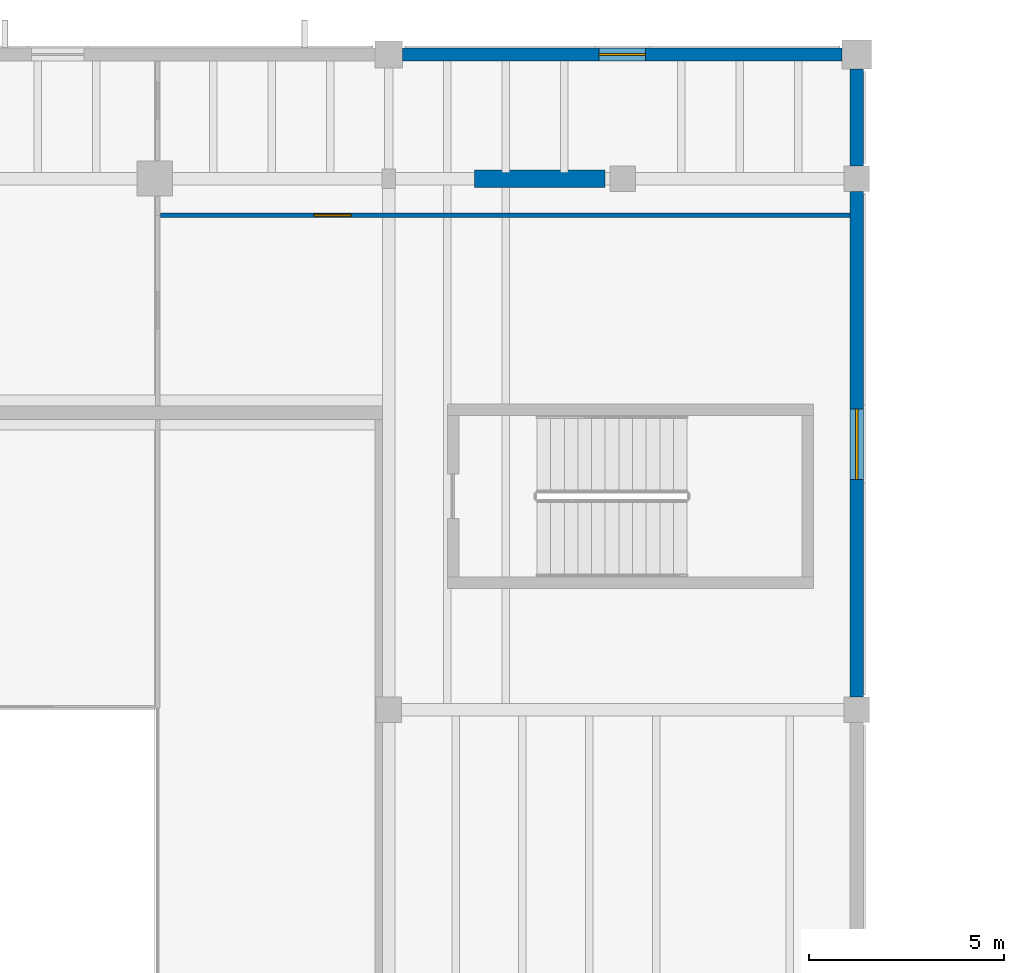
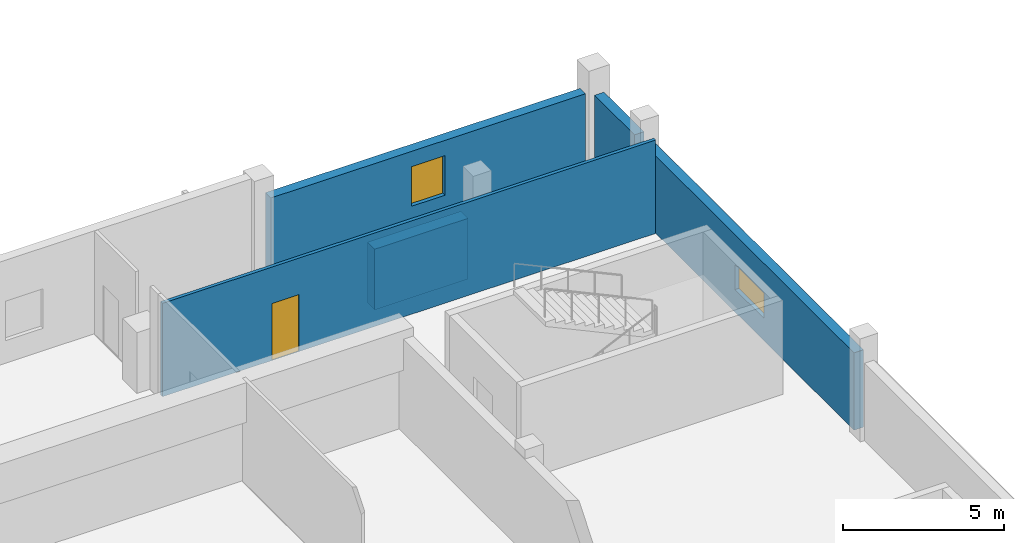
# One storey, part 9 of 19: 5 walls, 2 windows, 1 door, 3 openings.
"""IFC4 building model written with IfcOpenShell, lengths in metres."""

import ifcopenshell
import ifcopenshell.guid

model = None  # the IFC model being written
_history = None  # IfcOwnerHistory: only IFC2X3 demands one
_inside = {}  # id of a spatial element -> (the spatial element, [elements in it])
_under = {}  # id of a project, library or spatial element -> (it, [spatial elements below it])
_declared = {}  # id of a project -> (the project, [libraries it declares])
_typed = {}  # id of a type object -> (the type object, [elements of that type])
_made_of = {}  # id of a material, layer set ... -> (it, [elements and type objects made of it])


def new_model(schema):
    """Start an empty IFC model of exactly this schema.

    Asked for "IFC4X3", IfcOpenShell would pick the latest addendum, in which some entities
    have other attributes; the version numbers below select the first issue.
    IFC2X3 requires an IfcOwnerHistory on every rooted entity: one is made here for all.
    """
    global model, _history
    if schema == "IFC4X3":
        model = ifcopenshell.file(schema_version=(4, 3, 0, 0))
    else:
        model = ifcopenshell.file(schema=schema)
    _inside.clear()
    _under.clear()
    _declared.clear()
    _typed.clear()
    _made_of.clear()
    _history = None
    if model.schema == "IFC2X3":
        org = make("IfcOrganization", Name="unknown")
        user = make(
            "IfcPersonAndOrganization",
            ThePerson=make("IfcPerson", FamilyName="unknown"),
            TheOrganization=org,
        )
        app = make(
            "IfcApplication",
            ApplicationDeveloper=org,
            Version="unknown",
            ApplicationFullName="unknown",
            ApplicationIdentifier="unknown",
        )
        _history = make(
            "IfcOwnerHistory",
            OwningUser=user,
            OwningApplication=app,
            ChangeAction="ADDED",
            CreationDate=0,
        )
    return model


def make(cls, **values):
    """One entity of the class cls with the attributes given. An attribute that is None is left unset."""
    return model.create_entity(
        cls, **{name: value for name, value in values.items() if value is not None}
    )


def rooted(cls, **values):
    """An entity with a GlobalId (a new one), such as an element, a storey or a relation."""
    return make(cls, GlobalId=ifcopenshell.guid.new(), OwnerHistory=_history, **values)


def si_unit(unit_type, name, prefix=None):
    """IfcSIUnit, for example si_unit("LENGTHUNIT", "METRE", prefix="MILLI")."""
    return make("IfcSIUnit", UnitType=unit_type, Prefix=prefix, Name=name)


def assignment(units):
    """IfcUnitAssignment: the units of a project."""
    return None if units is None else make("IfcUnitAssignment", Units=units)


def point(xyz):
    """IfcCartesianPoint."""
    return None if xyz is None else make("IfcCartesianPoint", Coordinates=xyz)


def direction(xyz):
    """IfcDirection."""
    return None if xyz is None else make("IfcDirection", DirectionRatios=xyz)


def frame(location, z_axis=None, x_axis=None):
    """IfcAxis2Placement3D, a coordinate frame: its origin and axes. An axis left out is left unset."""
    return make(
        "IfcAxis2Placement3D",
        Location=point(location),
        Axis=direction(z_axis),
        RefDirection=direction(x_axis),
    )


def frame_2d(location, x_axis=None):
    """IfcAxis2Placement2D, a coordinate frame in the plane: its origin and x axis."""
    return make(
        "IfcAxis2Placement2D", Location=point(location), RefDirection=direction(x_axis)
    )


def origin():
    """The frame at (0, 0, 0) with its axes left unset."""
    return frame((0.0, 0.0, 0.0))


def place(relative_to, where):
    """IfcLocalPlacement: puts the frame where relative to a parent placement (None: the world)."""
    return make(
        "IfcLocalPlacement", PlacementRelTo=relative_to, RelativePlacement=where
    )


def context(
    kind, dimensions, precision=None, world=None, true_north=None, identifier=None
):
    """IfcGeometricRepresentationContext, for example the 3D "Model" context."""
    return make(
        "IfcGeometricRepresentationContext",
        ContextIdentifier=identifier,
        ContextType=kind,
        CoordinateSpaceDimension=dimensions,
        Precision=precision,
        WorldCoordinateSystem=world,
        TrueNorth=true_north,
    )


def subcontext(parent, identifier, kind, view, scale=None):
    """IfcGeometricRepresentationSubContext, for example "Body" below "Model"."""
    return make(
        "IfcGeometricRepresentationSubContext",
        ContextIdentifier=identifier,
        ContextType=kind,
        ParentContext=parent,
        TargetScale=scale,
        TargetView=view,
    )


def project(units=None, contexts=None):
    """IfcProject with its units and contexts."""
    return rooted(
        "IfcProject",
        Name="project",
        RepresentationContexts=contexts,
        UnitsInContext=assignment(units),
    )


def spatial(cls, under=None, at=None, **own):
    """A site, building, storey or space (cls), placed at a placement, below another one or the project."""
    s = rooted(cls, ObjectPlacement=at, **own)
    if under is not None:
        _under.setdefault(under.id(), (under, []))[1].append(s)
    return s


def profile(cls, at=None, kind="AREA", **sizes):
    """A parametric profile (cls). Its sizes go by their IFC names, for example OverallWidth=200.0."""
    return make(cls, ProfileType=kind, Position=at, **sizes)


def rectangle(**sizes):
    """IfcRectangleProfileDef."""
    return profile("IfcRectangleProfileDef", **sizes)


def extrude(swept, where, along, depth):
    """IfcExtrudedAreaSolid: the profile swept, set in the frame where, extruded along a direction by depth."""
    return make(
        "IfcExtrudedAreaSolid",
        SweptArea=swept,
        Position=where,
        ExtrudedDirection=direction(along),
        Depth=depth,
    )


def shape(context_of_items, identifier, shape_type, items):
    """IfcShapeRepresentation: the items that make up one representation, for example the "Body"."""
    return make(
        "IfcShapeRepresentation",
        ContextOfItems=context_of_items,
        RepresentationIdentifier=identifier,
        RepresentationType=shape_type,
        Items=items,
    )


def material(Name=None, Category=None):
    """IfcMaterial."""
    return make("IfcMaterial", Name=Name, Category=Category)


def layer(
    of_material, thickness, ventilated=None, Name=None, Category=None, Priority=None
):
    """IfcMaterialLayer: one layer of a wall or slab, of a material (None: an air gap)."""
    return make(
        "IfcMaterialLayer",
        Material=of_material,
        LayerThickness=thickness,
        IsVentilated=ventilated,
        Name=Name,
        Category=Category,
        Priority=Priority,
    )


def layer_set(layers, Name=None):
    """IfcMaterialLayerSet."""
    return make("IfcMaterialLayerSet", MaterialLayers=layers, LayerSetName=Name)


def made_of(thing, what):
    """Note that an element or type object is made of a material, layer set ...; save() writes the relation."""
    if what is not None:
        _made_of.setdefault(what.id(), (what, []))[1].append(thing)
    return thing


def type_object(cls, material=None, **own):
    """A type object (cls), such as IfcWallType, which elements share."""
    return made_of(rooted(cls, **own), material)


def element(
    cls,
    number,
    at=None,
    inside=None,
    cuts=None,
    type_object=None,
    material=None,
    context=None,
    identifier="Body",
    shape_type=None,
    held_by="IfcProductDefinitionShape",
    body=None,
    shapes=None,
    **own,
):
    """One element of the class cls, such as IfcWall. Its Tag is "e" and its number.

    at: its placement. inside: the storey or other place that contains it. cuts: it is an
    opening in that element (IfcRelVoidsElement). A single representation is given by context,
    identifier, shape_type and body (its items); several are given by shapes. held_by: the class
    of the entity that holds the representations. save() writes the other relations.
    """
    e = rooted(cls, Tag="e%d" % number, ObjectPlacement=at, **own)
    if body is not None:
        shapes = [shape(context, identifier, shape_type, body)]
    if shapes is not None:
        e.Representation = make(held_by, Representations=shapes)
    if inside is not None:
        _inside.setdefault(inside.id(), (inside, []))[1].append(e)
    if cuts is not None:
        rooted(
            "IfcRelVoidsElement", RelatingBuildingElement=cuts, RelatedOpeningElement=e
        )
    if type_object is not None:
        _typed.setdefault(type_object.id(), (type_object, []))[1].append(e)
    return made_of(e, material)


def fill(opening, filler):
    """IfcRelFillsElement: the door or window that sits in an opening."""
    return rooted(
        "IfcRelFillsElement",
        RelatingOpeningElement=opening,
        RelatedBuildingElement=filler,
    )


def aggregate(whole, parts):
    """IfcRelAggregates: a whole, such as a stair, and the parts it consists of."""
    return rooted("IfcRelAggregates", RelatingObject=whole, RelatedObjects=parts)


def save(model, path):
    """Write the relations noted so far, then the file.

    IfcRelAggregates (storeys below a building ...), IfcRelContainedInSpatialStructure (elements
    in a storey), IfcRelDefinesByType, IfcRelAssociatesMaterial and IfcRelDeclares: one each for
    every whole, place, type object, material and project.
    """
    for whole, parts in _under.values():
        aggregate(whole, parts)
    for where, things in _inside.values():
        rooted(
            "IfcRelContainedInSpatialStructure",
            RelatedElements=things,
            RelatingStructure=where,
        )
    for kind, things in _typed.values():
        rooted("IfcRelDefinesByType", RelatedObjects=things, RelatingType=kind)
    for what, things in _made_of.values():
        rooted("IfcRelAssociatesMaterial", RelatedObjects=things, RelatingMaterial=what)
    for by, libraries in _declared.values():
        rooted("IfcRelDeclares", RelatingContext=by, RelatedDefinitions=libraries)
    model.write(path)


model = new_model("IFC4")

# Units and contexts
model_context = context("Model", 3, precision=1e-05, world=origin(), true_north=direction((0.0, 1.0)))
body_context = subcontext(model_context, "Body", "Model", "MODEL_VIEW")
ifc_project = project(units=[si_unit("LENGTHUNIT", "METRE"), si_unit("AREAUNIT", "SQUARE_METRE"), si_unit("VOLUMEUNIT", "CUBIC_METRE"), si_unit("PLANEANGLEUNIT", "RADIAN"), si_unit("MASSUNIT", "GRAM", prefix="KILO")], contexts=[model_context])

# Site, building, storey
site_placement = place(None, origin())
site = spatial("IfcSite", under=ifc_project, at=site_placement, CompositionType="ELEMENT")
building_placement = place(site_placement, origin())
building = spatial("IfcBuilding", under=site, at=building_placement, Name="Kelmvaro Bay Concert Hall", CompositionType="ELEMENT")
storey_placement = place(building_placement, frame((0.0, 0.0, 18.300048828125)))
storey = spatial("IfcBuildingStorey", under=building, at=storey_placement, Name="L04", CompositionType="ELEMENT", Elevation=18.300048828125)

# Wall, opening, window
ifc_material_1 = material(Name="Precast Concrete C40/50", Category="concrete")
ifc_layer_1 = layer(ifc_material_1, 0.340087890625)
ifc_layer_set_1 = layer_set([ifc_layer_1], Name="Precast Concrete C40/50")
wall_type_1 = type_object("IfcWallType", Name="Main Hall Faceted Precast Wall 340", PredefinedType="SOLIDWALL", material=ifc_layer_set_1)
wall_1_placement = place(storey_placement, frame((48.35009765625, 114.0, 0.0), z_axis=(0.0, 0.0, 1.0), x_axis=(1.0, 0.0, 0.0)))
wall_1 = element("IfcWall", 1, at=wall_1_placement, inside=storey, type_object=wall_type_1, Name="L04 Exterior Wall EW-L04-0066", PredefinedType="SOLIDWALL", context=body_context, shape_type="SweptSolid", body=[
    extrude(rectangle(XDim=11.27490234375, YDim=0.340087890625, at=frame_2d((5.637451171875, 0.0))), origin(), (0.0, 0.0, 1.0), 2.928955078125),
])
opening_1_placement = place(wall_1_placement, frame((5.03759765625, 0.0, 0.85009765625)))
opening_1 = element("IfcOpeningElement", 2, at=opening_1_placement, cuts=wall_1, Name="Opening WN-06", PredefinedType="OPENING", context=body_context, shape_type="SweptSolid", body=[
    extrude(rectangle(XDim=1.199951171875, YDim=1.5, at=frame_2d((0.60009765625, 0.75))), frame((0.0, 0.179931640625, 0.0), z_axis=(0.0, -1.0, 0.0), x_axis=(1.0, 0.0, 0.0)), (0.0, 0.0, 1.0), 0.360107421875),
])
ifc_material_2 = material(Name="Thermally Broken Aluminium and Acoustic Low-E Glass", Category="aluminium")
window_type_1 = type_object("IfcWindowType", Name="Dressing Suite Daylight Window 1200x1500", PartitioningType="SINGLE_PANEL", PredefinedType="WINDOW", material=ifc_material_2)
window_1_placement = place(opening_1_placement, origin())
window_1 = element("IfcWindow", 3, at=window_1_placement, inside=storey, type_object=window_type_1, Name="L04 Facade Window WN-L04-0034", OverallHeight=1.5, OverallWidth=1.199951171875, PartitioningType="SINGLE_PANEL", PredefinedType="WINDOW", context=body_context, shape_type="SweptSolid", body=[
    extrude(rectangle(XDim=1.199951171875, YDim=1.5, at=frame_2d((0.60009765625, 0.75))), frame((0.0, 0.030029296875, 0.0), z_axis=(0.0, -1.0, 0.0), x_axis=(1.0, 0.0, 0.0)), (0.0, 0.0, 1.0), 0.06005859375),
])
fill(opening_1, window_1)

# Wall
wall_2_placement = place(storey_placement, frame((60.0, 113.625, 0.0), z_axis=(0.0, 0.0, 1.0), x_axis=(0.0, -1.0, 0.0)))
element("IfcWall", 4, at=wall_2_placement, inside=storey, type_object=wall_type_1, Name="L04 Exterior Wall EW-L04-0075", PredefinedType="SOLIDWALL", context=body_context, shape_type="SweptSolid", body=[
    extrude(rectangle(XDim=2.47998046875, YDim=0.340087890625, at=frame_2d((1.239990234375, 0.0))), origin(), (0.0, 0.0, 1.0), 2.927978515625),
])

# Wall, opening, window
wall_3_placement = place(storey_placement, frame((60.0, 110.4951171875, 0.0), z_axis=(0.0, 0.0, 1.0), x_axis=(0.0, -1.0, 0.0)))
wall_3 = element("IfcWall", 5, at=wall_3_placement, inside=storey, type_object=wall_type_1, Name="L04 Exterior Wall EW-L04-0076", PredefinedType="SOLIDWALL", context=body_context, shape_type="SweptSolid", body=[
    extrude(rectangle(XDim=12.97021484375, YDim=0.340087890625, at=frame_2d((6.485107421875, 0.0))), origin(), (0.0, 0.0, 1.0), 2.929931640625),
])
opening_2_placement = place(wall_3_placement, frame((5.5849609375, 0.0, 0.85009765625)))
opening_2 = element("IfcOpeningElement", 6, at=opening_2_placement, cuts=wall_3, Name="Opening WN-10", PredefinedType="OPENING", context=body_context, shape_type="SweptSolid", body=[
    extrude(rectangle(XDim=1.800048828125, YDim=0.949951171875, at=frame_2d((0.89990234375, 0.47509765625))), frame((0.0, 0.179931640625, 0.0), z_axis=(0.0, -1.0, 0.0), x_axis=(1.0, 0.0, 0.0)), (0.0, 0.0, 1.0), 0.360107421875),
])
ifc_material_3 = material(Name="Thermally Broken Aluminium and Acoustic Low-E Glass", Category="aluminium")
window_type_2 = type_object("IfcWindowType", Name="Archive Clerestory Window 1800x950", PartitioningType="SINGLE_PANEL", PredefinedType="WINDOW", material=ifc_material_3)
window_2_placement = place(opening_2_placement, origin())
window_2 = element("IfcWindow", 7, at=window_2_placement, inside=storey, type_object=window_type_2, Name="L04 Facade Window WN-L04-0038", OverallHeight=0.949951171875, OverallWidth=1.800048828125, PartitioningType="SINGLE_PANEL", PredefinedType="WINDOW", context=body_context, shape_type="SweptSolid", body=[
    extrude(rectangle(XDim=1.800048828125, YDim=0.949951171875, at=frame_2d((0.89990234375, 0.47509765625))), frame((0.0, 0.030029296875, 0.0), z_axis=(0.0, -1.0, 0.0), x_axis=(1.0, 0.0, 0.0)), (0.0, 0.0, 1.0), 0.06005859375),
])
fill(opening_2, window_2)

# Wall
ifc_material_4 = material(Name="Concrete C40/50", Category="concrete")
ifc_layer_2 = layer(ifc_material_4, 0.449951171875)
ifc_layer_set_2 = layer_set([ifc_layer_2], Name="Concrete C40/50")
wall_type_2 = type_object("IfcWallType", Name="Outer Acoustic Box Shear Wall 450", PredefinedType="SHEAR", material=ifc_layer_set_2)
wall_4_placement = place(storey_placement, frame((50.199951171875, 110.820068359375, 0.0), z_axis=(0.0, 0.0, 1.0), x_axis=(1.0, 0.0, 0.0)))
element("IfcWall", 8, at=wall_4_placement, inside=storey, type_object=wall_type_2, Name="L04 Shell Springing Shear Wall N4", PredefinedType="SHEAR", context=body_context, shape_type="SweptSolid", body=[
    extrude(rectangle(XDim=3.35009765625, YDim=0.449951171875, at=frame_2d((1.675048828125, 0.0))), origin(), (0.0, 0.0, 1.0), 2.300048828125),
])

# Wall, opening, door
ifc_material_5 = material(Name="Acoustic Gypsum Board on Galvanised Steel Studs", Category="steel")
ifc_layer_3 = layer(ifc_material_5, 0.1201171875)
ifc_layer_set_3 = layer_set([ifc_layer_3], Name="Acoustic Gypsum Board on Galvanised Steel Studs")
wall_type_3 = type_object("IfcWallType", Name="Standard Architectural Partition 120", PredefinedType="PARTITIONING", material=ifc_layer_set_3)
wall_5_placement = place(storey_placement, frame((42.14990234375, 109.8798828125, 0.0), z_axis=(0.0, 0.0, 1.0), x_axis=(1.0, 0.0, 0.0)))
wall_5 = element("IfcWall", 9, at=wall_5_placement, inside=storey, type_object=wall_type_3, Name="L04 Interior Partition PT-L04-0347", PredefinedType="PARTITIONING", context=body_context, shape_type="SweptSolid", body=[
    extrude(rectangle(XDim=17.670166015625, YDim=0.1201171875, at=frame_2d((8.8349609375, 0.0))), origin(), (0.0, 0.0, 1.0), 3.5400390625),
])
opening_3_placement = place(wall_5_placement, frame((3.92724609375, 0.0, 0.0)))
opening_3 = element("IfcOpeningElement", 10, at=opening_3_placement, cuts=wall_5, Name="Opening ID-AD1", PredefinedType="OPENING", context=body_context, shape_type="SweptSolid", body=[
    extrude(rectangle(XDim=0.9599609375, YDim=2.159912109375, at=frame_2d((0.47998046875, 1.080078125))), frame((0.0, 0.070068359375, 0.0), z_axis=(0.0, -1.0, 0.0), x_axis=(1.0, 0.0, 0.0)), (0.0, 0.0, 1.0), 0.14013671875),
])
ifc_material_6 = material(Name="Anodised Aluminium and Glass", Category="aluminium")
door_type = type_object("IfcDoorType", Name="Administration Suite Glazed Door 960x2160", OperationType="NOTDEFINED", PredefinedType="DOOR", material=ifc_material_6)
door_placement = place(opening_3_placement, origin())
door = element("IfcDoor", 11, at=door_placement, inside=storey, type_object=door_type, Name="L04 Interior Door DR-INT-L04-0201", OperationType="SINGLE_SWING_LEFT", OverallHeight=2.159912109375, OverallWidth=0.9599609375, PredefinedType="DOOR", context=body_context, shape_type="SweptSolid", body=[
    extrude(rectangle(XDim=0.9599609375, YDim=2.159912109375, at=frame_2d((0.47998046875, 1.080078125))), frame((0.0, 0.02490234375, 0.0), z_axis=(0.0, -1.0, 0.0), x_axis=(1.0, 0.0, 0.0)), (0.0, 0.0, 1.0), 0.050048828125),
])
fill(opening_3, door)

save(model, "model.ifc")
